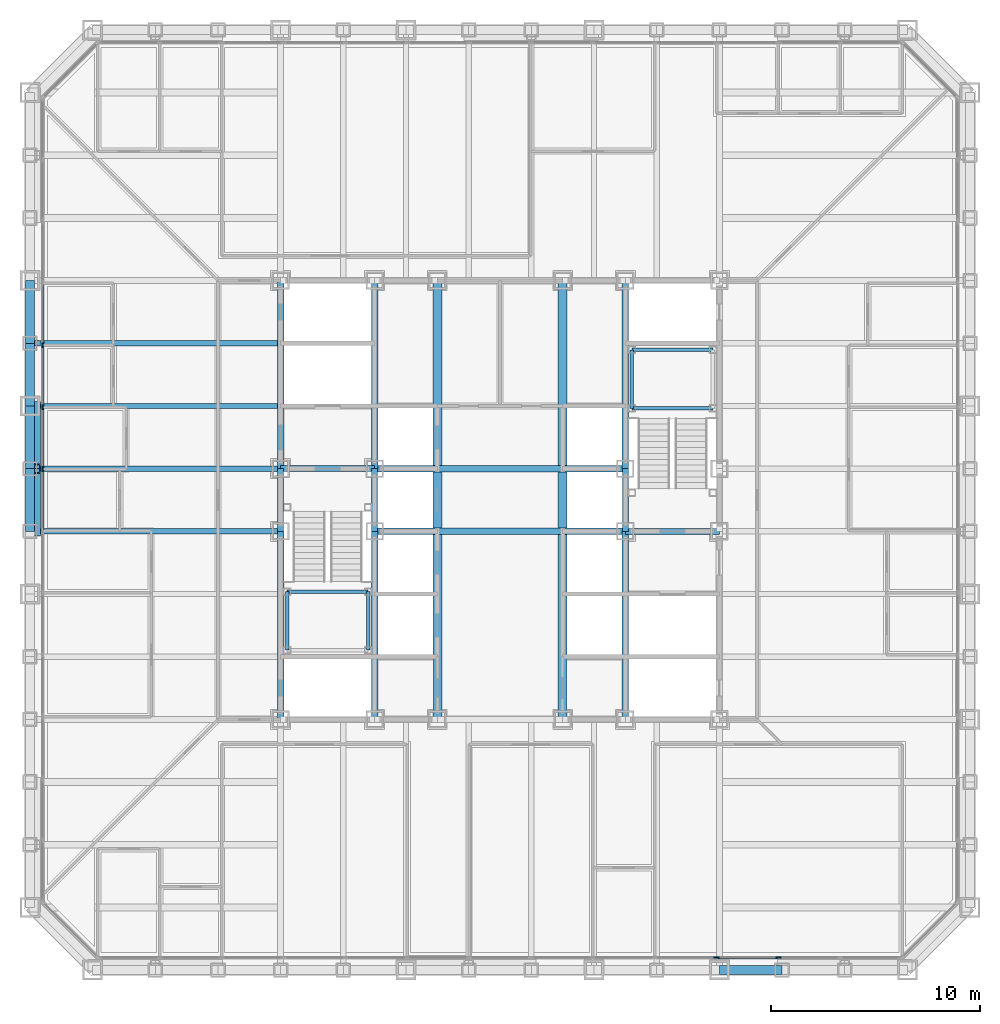
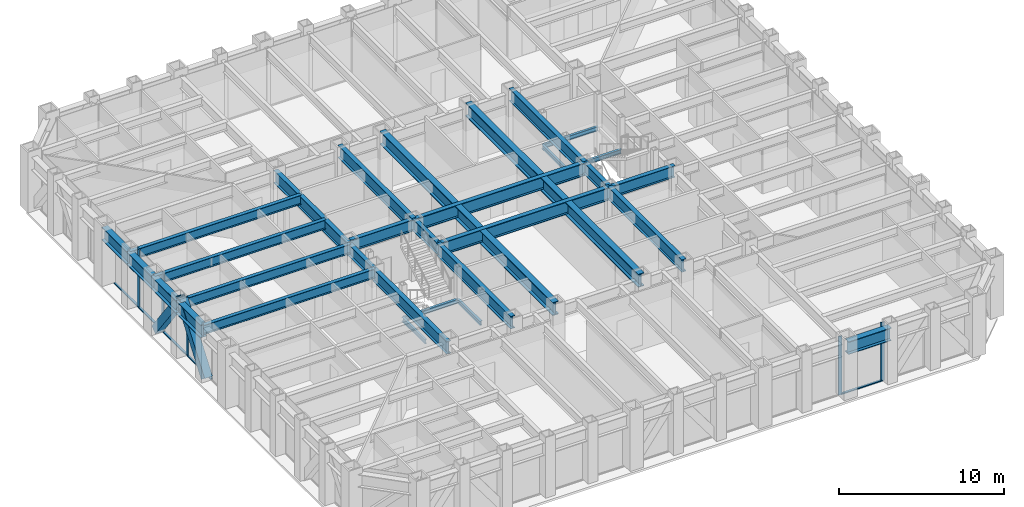
# One storey, part 3 of 17: 34 beams, 12 members, 2 elements without a shape of their own.
"""IFC4 building model written with IfcOpenShell, lengths in metres."""

from ifc_helpers import new_model, si_unit, direction, frame, origin, origin_2d, place, context, subcontext, project, spatial, rectangle, hollow_rectangle, i_section, extrude, material, layer, layer_set, material_profile, profile_set, type_object, element, aggregate, save


model = new_model("IFC4")

# Units and contexts
model_context = context("Model", 3, precision=1e-05, world=origin(), true_north=direction((0.0, 1.0)))
body_context = subcontext(model_context, "Body", "Model", "MODEL_VIEW")
ifc_project = project(units=[si_unit("LENGTHUNIT", "METRE"), si_unit("AREAUNIT", "SQUARE_METRE"), si_unit("VOLUMEUNIT", "CUBIC_METRE"), si_unit("PLANEANGLEUNIT", "RADIAN"), si_unit("MASSUNIT", "GRAM", prefix="KILO")], contexts=[model_context])

# Site, building, storey
site_placement = place(None, origin())
site = spatial("IfcSite", under=ifc_project, at=site_placement, CompositionType="ELEMENT")
building_placement = place(site_placement, origin())
building = spatial("IfcBuilding", under=site, at=building_placement, Name="Chuquiago Exchange Tower", CompositionType="ELEMENT")
storey_placement = place(building_placement, frame((0.0, 0.0, 64.800048828125)))
storey = spatial("IfcBuildingStorey", under=building, at=storey_placement, Name="L13", CompositionType="ELEMENT", Elevation=64.800048828125)

# Beams
ifc_material_1 = material(Name="Steel ASTM A992", Category="steel")
ifc_material_profile_1 = material_profile(ifc_material_1, i_section(OverallWidth=0.307373046875, OverallDepth=0.927001953125, WebThickness=0.01953125, FlangeThickness=0.031982421875, at=origin_2d()), Name="W36X194")
ifc_profile_set_1 = profile_set([ifc_material_profile_1], Name="Steel ASTM A992")
beam_type_1 = type_object("IfcBeamType", Name="B10 W36X194", PredefinedType="BEAM", material=ifc_profile_set_1)
for number, where, z_axis, x_axis, name in (
    (1, (12.0, 12.0, 3.576416015625), (0.0, 1.0, 0.0), (-1.0, 0.0, 0.0), "CB-L14-12_12-12_21"),
    (2, (12.0, 24.0, 3.576416015625), (0.0, 1.0, 0.0), (-1.0, 0.0, 0.0), "CB-L14-12_24-12_33"),
    (3, (16.5, 12.0, 3.87646484375), (0.0, 1.0, 0.0), (-1.0, 0.0, 0.0), "CB-L14-16.5_12-16.5_21"),
    (4, (16.5, 24.0, 3.87646484375), (0.0, 1.0, 0.0), (-1.0, 0.0, 0.0), "CB-L14-16.5_24-16.5_33"),
    (5, (28.5, 12.0, 3.87646484375), (0.0, 1.0, 0.0), (-1.0, 0.0, 0.0), "CB-L14-28.5_12-28.5_21"),
    (6, (28.5, 24.0, 3.87646484375), (0.0, 1.0, 0.0), (-1.0, 0.0, 0.0), "CB-L14-28.5_24-28.5_33"),
):
    element("IfcBeam", number, at=place(storey_placement, frame(where, z_axis=z_axis, x_axis=x_axis)), inside=storey, type_object=beam_type_1, Name=name, PredefinedType="BEAM", context=body_context, shape_type="SweptSolid", body=[
        extrude(i_section(OverallWidth=0.307373046875, OverallDepth=0.927001953125, WebThickness=0.01953125, FlangeThickness=0.031982421875, at=origin_2d()), origin(), (0.0, 0.0, 1.0), 9.0),
    ])
ifc_material_2 = material(Name="Steel ASTM A992", Category="steel")
ifc_material_profile_2 = material_profile(ifc_material_2, i_section(OverallWidth=0.309814453125, OverallDepth=0.949951171875, WebThickness=0.0244140625, FlangeThickness=0.0439453125, at=origin_2d()), Name="W36X256")
ifc_profile_set_2 = profile_set([ifc_material_profile_2], Name="Steel ASTM A992")
beam_type_2 = type_object("IfcBeamType", Name="B11 W36X256", PredefinedType="BEAM", material=ifc_profile_set_2)
for number, where, z_axis, x_axis, name in (
    (7, (16.5, 21.0, 3.864990234375), (1.0, 0.0, 0.0), (0.0, 1.0, 0.0), "CB-L14-16.5_21-28.5_21"),
    (8, (16.5, 24.0, 3.864990234375), (1.0, 0.0, 0.0), (0.0, 1.0, 0.0), "CB-L14-16.5_24-28.5_24"),
):
    element("IfcBeam", number, at=place(storey_placement, frame(where, z_axis=z_axis, x_axis=x_axis)), inside=storey, type_object=beam_type_2, Name=name, PredefinedType="BEAM", context=body_context, shape_type="SweptSolid", body=[
        extrude(i_section(OverallWidth=0.309814453125, OverallDepth=0.949951171875, WebThickness=0.0244140625, FlangeThickness=0.0439453125, at=origin_2d()), origin(), (0.0, 0.0, 1.0), 12.0),
    ])
ifc_material_3 = material(Name="Steel ASTM A992", Category="steel")
ifc_material_profile_3 = material_profile(ifc_material_3, i_section(OverallWidth=0.4267578125, OverallDepth=0.975341796875, WebThickness=0.031005859375, FlangeThickness=0.055908203125, at=origin_2d()), Name="W36X395")
ifc_profile_set_3 = profile_set([ifc_material_profile_3], Name="Steel ASTM A992")
beam_type_3 = type_object("IfcBeamType", Name="B12 W36X395", PredefinedType="BEAM", material=ifc_profile_set_3)
beam_1_placement = place(storey_placement, frame((19.5, 12.0, 3.852294921875), z_axis=(0.0, 1.0, 0.0), x_axis=(-1.0, 0.0, 0.0)))
element("IfcBeam", 9, at=beam_1_placement, inside=storey, type_object=beam_type_3, Name="CB-L14-19.5_12-19.5_20.8451", PredefinedType="BEAM", context=body_context, shape_type="SweptSolid", body=[
    extrude(i_section(OverallWidth=0.4267578125, OverallDepth=0.975341796875, WebThickness=0.031005859375, FlangeThickness=0.055908203125, at=origin_2d()), origin(), (0.0, 0.0, 1.0), 8.84521484375),
])
beam_2_placement = place(storey_placement, frame((19.5, 21.15478515625, 3.852294921875), z_axis=(0.0, 1.0, 0.0), x_axis=(-1.0, 0.0, 0.0)))
element("IfcBeam", 10, at=beam_2_placement, inside=storey, type_object=beam_type_3, Name="CB-L14-19.5_21.1549-19.5_23.8451", PredefinedType="BEAM", context=body_context, shape_type="SweptSolid", body=[
    extrude(i_section(OverallWidth=0.4267578125, OverallDepth=0.975341796875, WebThickness=0.031005859375, FlangeThickness=0.055908203125, at=origin_2d()), origin(), (0.0, 0.0, 1.0), 2.6904296875),
])
for number, where, z_axis, x_axis, name in (
    (11, (19.5, 24.15478515625, 3.852294921875), (0.0, 1.0, 0.0), (-1.0, 0.0, 0.0), "CB-L14-19.5_24.1549-19.5_33"),
    (12, (25.5, 12.0, 3.852294921875), (0.0, 1.0, 0.0), (-1.0, 0.0, 0.0), "CB-L14-25.5_12-25.5_20.8451"),
):
    element("IfcBeam", number, at=place(storey_placement, frame(where, z_axis=z_axis, x_axis=x_axis)), inside=storey, type_object=beam_type_3, Name=name, PredefinedType="BEAM", context=body_context, shape_type="SweptSolid", body=[
        extrude(i_section(OverallWidth=0.4267578125, OverallDepth=0.975341796875, WebThickness=0.031005859375, FlangeThickness=0.055908203125, at=origin_2d()), origin(), (0.0, 0.0, 1.0), 8.84521484375),
    ])
beam_3_placement = place(storey_placement, frame((25.5, 21.15478515625, 3.852294921875), z_axis=(0.0, 1.0, 0.0), x_axis=(-1.0, 0.0, 0.0)))
element("IfcBeam", 13, at=beam_3_placement, inside=storey, type_object=beam_type_3, Name="CB-L14-25.5_21.1549-25.5_23.8451", PredefinedType="BEAM", context=body_context, shape_type="SweptSolid", body=[
    extrude(i_section(OverallWidth=0.4267578125, OverallDepth=0.975341796875, WebThickness=0.031005859375, FlangeThickness=0.055908203125, at=origin_2d()), origin(), (0.0, 0.0, 1.0), 2.6904296875),
])
beam_4_placement = place(storey_placement, frame((25.5, 24.15478515625, 3.852294921875), z_axis=(0.0, 1.0, 0.0), x_axis=(-1.0, 0.0, 0.0)))
element("IfcBeam", 14, at=beam_4_placement, inside=storey, type_object=beam_type_3, Name="CB-L14-25.5_24.1549-25.5_33", PredefinedType="BEAM", context=body_context, shape_type="SweptSolid", body=[
    extrude(i_section(OverallWidth=0.4267578125, OverallDepth=0.975341796875, WebThickness=0.031005859375, FlangeThickness=0.055908203125, at=origin_2d()), origin(), (0.0, 0.0, 1.0), 8.84521484375),
])
ifc_material_4 = material(Name="Steel ASTM A992", Category="steel")
ifc_material_profile_4 = material_profile(ifc_material_4, i_section(OverallWidth=0.2919921875, OverallDepth=0.8583984375, WebThickness=0.01708984375, FlangeThickness=0.031005859375, at=origin_2d()), Name="W33X169")
ifc_profile_set_4 = profile_set([ifc_material_profile_4], Name="Steel ASTM A992")
beam_type_4 = type_object("IfcBeamType", Name="B3 W33X169", PredefinedType="BEAM", material=ifc_profile_set_4)
for number, where, z_axis, x_axis, name in (
    (15, (12.0, 21.0, 3.610595703125), (0.0, 1.0, 0.0), (-1.0, 0.0, 0.0), "CB-L14-12_21-12_24"),
    (16, (16.5, 21.0, 3.91064453125), (0.0, 1.0, 0.0), (-1.0, 0.0, 0.0), "CB-L14-16.5_21-16.5_24"),
    (17, (28.5, 21.0, 3.91064453125), (0.0, 1.0, 0.0), (-1.0, 0.0, 0.0), "CB-L14-28.5_21-28.5_24"),
):
    element("IfcBeam", number, at=place(storey_placement, frame(where, z_axis=z_axis, x_axis=x_axis)), inside=storey, type_object=beam_type_4, Name=name, PredefinedType="BEAM", context=body_context, shape_type="SweptSolid", body=[
        extrude(i_section(OverallWidth=0.2919921875, OverallDepth=0.8583984375, WebThickness=0.01708984375, FlangeThickness=0.031005859375, at=origin_2d()), origin(), (0.0, 0.0, 1.0), 3.0),
    ])
for number, where, z_axis, x_axis, name in (
    (18, (28.5, 21.0, 3.91064453125), (1.0, 0.0, 0.0), (0.0, 1.0, 0.0), "CB-L14-28.5_21-33_21"),
    (19, (12.0, 24.0, 3.91064453125), (1.0, 0.0, 0.0), (0.0, 1.0, 0.0), "CB-L14-12_24-16.5_24"),
):
    element("IfcBeam", number, at=place(storey_placement, frame(where, z_axis=z_axis, x_axis=x_axis)), inside=storey, type_object=beam_type_4, Name=name, PredefinedType="BEAM", context=body_context, shape_type="SweptSolid", body=[
        extrude(i_section(OverallWidth=0.2919921875, OverallDepth=0.8583984375, WebThickness=0.01708984375, FlangeThickness=0.031005859375, at=origin_2d()), origin(), (0.0, 0.0, 1.0), 4.5),
    ])
ifc_material_5 = material(Name="Steel ASTM A992", Category="steel")
ifc_material_profile_5 = material_profile(ifc_material_5, i_section(OverallWidth=0.256591796875, OverallDepth=0.693359375, WebThickness=0.014404296875, FlangeThickness=0.023681640625, at=origin_2d()), Name="W27X114")
ifc_profile_set_5 = profile_set([ifc_material_profile_5], Name="Steel ASTM A992")
beam_type_5 = type_object("IfcBeamType", Name="B4 W27X114", PredefinedType="BEAM", material=ifc_profile_set_5)
for number, where, z_axis, x_axis, name in (
    (20, (12.0, 21.0, 3.693359375), (-1.0, 0.0, 0.0), (0.0, -1.0, 0.0), "FB-L14-infill-12_21--0_21-0"),
    (21, (12.0, 24.0, 3.693359375), (-1.0, 0.0, 0.0), (0.0, -1.0, 0.0), "FB-L14-infill-12_24--0_24-0"),
    (22, (12.0, 27.0, 3.693359375), (-1.0, 0.0, 0.0), (0.0, -1.0, 0.0), "FB-L14-infill-12_27--0_27-0"),
    (23, (12.0, 30.0, 3.693359375), (-1.0, 0.0, 0.0), (0.0, -1.0, 0.0), "FB-L14-infill-12_30--0_30-0"),
):
    element("IfcBeam", number, at=place(storey_placement, frame(where, z_axis=z_axis, x_axis=x_axis)), inside=storey, type_object=beam_type_5, Name=name, PredefinedType="BEAM", context=body_context, shape_type="SweptSolid", body=[
        extrude(i_section(OverallWidth=0.256591796875, OverallDepth=0.693359375, WebThickness=0.014404296875, FlangeThickness=0.023681640625, at=origin_2d()), origin(), (0.0, 0.0, 1.0), 12.0),
    ])

# Curtain wall, members
ifc_material_6 = material(Name="Aluminium curtain wall system", Category="aluminium")
ifc_layer = layer(ifc_material_6, 0.25)
ifc_layer_set = layer_set([ifc_layer], Name="CW1 trading floor curtain wall")
curtain_wall_type = type_object("IfcCurtainWallType", Name="CW1 trading floor curtain wall", PredefinedType="NOTDEFINED", material=ifc_layer_set)
curtain_wall_1_placement = place(storey_placement, origin())
curtain_wall_1 = element("IfcCurtainWall", 24, at=curtain_wall_1_placement, inside=storey, type_object=curtain_wall_type, Name="CW1 curtain wall L13", PredefinedType="NOTDEFINED")
ifc_material_7 = material(Name="Aluminium mullion, pale anodised", Category="aluminium")
ifc_material_profile_6 = material_profile(ifc_material_7, rectangle(XDim=0.074951171875, YDim=0.25, at=origin_2d()), Name="AL 75x250")
ifc_profile_set_6 = profile_set([ifc_material_profile_6], Name="Aluminium mullion, pale anodised")
member_type_1 = type_object("IfcMemberType", Name="CW1-M mullion 75x250", PredefinedType="MULLION", material=ifc_profile_set_6)
member_1_placement = place(storey_placement, frame((32.8662109375, 0.60009765625, -0.300048828125), z_axis=(0.0, 0.0, 1.0), x_axis=(0.0, 1.0, 0.0)))
member_1 = element("IfcMember", 25, at=member_1_placement, type_object=member_type_1, Name="CW1 mullion 11", PredefinedType="MULLION", context=body_context, shape_type="SweptSolid", body=[
    extrude(rectangle(XDim=0.074951171875, YDim=0.25, at=origin_2d()), origin(), (0.0, 0.0, 1.0), 4.340087890625),
])
member_2_placement = place(storey_placement, frame((35.827880859375, 0.60009765625, -0.300048828125), z_axis=(0.0, 0.0, 1.0), x_axis=(0.0, 1.0, 0.0)))
member_2 = element("IfcMember", 26, at=member_2_placement, type_object=member_type_1, Name="CW1 mullion 12", PredefinedType="MULLION", context=body_context, shape_type="SweptSolid", body=[
    extrude(rectangle(XDim=0.074951171875, YDim=0.25, at=origin_2d()), origin(), (0.0, 0.0, 1.0), 4.340087890625),
])

curtain_wall_2_placement = place(storey_placement, origin())
curtain_wall_2 = element("IfcCurtainWall", 27, at=curtain_wall_2_placement, inside=storey, type_object=curtain_wall_type, Name="CW1 curtain wall L13", PredefinedType="NOTDEFINED")
member_3_placement = place(storey_placement, frame((0.60009765625, 29.904541015625, -0.300048828125), z_axis=(0.0, 0.0, 1.0), x_axis=(1.0, 0.0, 0.0)))
member_3 = element("IfcMember", 28, at=member_3_placement, type_object=member_type_1, Name="CW1 mullion 5", PredefinedType="MULLION", context=body_context, shape_type="SweptSolid", body=[
    extrude(rectangle(XDim=0.074951171875, YDim=0.25, at=origin_2d()), origin(), (0.0, 0.0, 1.0), 4.340087890625),
])
member_4_placement = place(storey_placement, frame((0.60009765625, 26.942626953125, -0.300048828125), z_axis=(0.0, 0.0, 1.0), x_axis=(1.0, 0.0, 0.0)))
member_4 = element("IfcMember", 29, at=member_4_placement, type_object=member_type_1, Name="CW1 mullion 6", PredefinedType="MULLION", context=body_context, shape_type="SweptSolid", body=[
    extrude(rectangle(XDim=0.074951171875, YDim=0.25, at=origin_2d()), origin(), (0.0, 0.0, 1.0), 4.340087890625),
])
member_5_placement = place(storey_placement, frame((0.60009765625, 23.98095703125, -0.300048828125), z_axis=(0.0, 0.0, 1.0), x_axis=(1.0, 0.0, 0.0)))
member_5 = element("IfcMember", 30, at=member_5_placement, type_object=member_type_1, Name="CW1 mullion 7", PredefinedType="MULLION", context=body_context, shape_type="SweptSolid", body=[
    extrude(rectangle(XDim=0.074951171875, YDim=0.25, at=origin_2d()), origin(), (0.0, 0.0, 1.0), 4.340087890625),
])

# Member
ifc_material_8 = material(Name="Aluminium transom, pale anodised", Category="aluminium")
ifc_material_profile_7 = material_profile(ifc_material_8, rectangle(XDim=0.14990234375, YDim=0.074951171875, at=origin_2d()), Name="AL 150x75")
ifc_profile_set_7 = profile_set([ifc_material_profile_7], Name="Aluminium transom, pale anodised")
member_type_2 = type_object("IfcMemberType", Name="CW1-T transom 75x150", PredefinedType="MULLION", material=ifc_profile_set_7)
member_6_placement = place(storey_placement, frame((32.90380859375, 0.60009765625, -0.262451171875), z_axis=(1.0, 0.0, 0.0), x_axis=(0.0, 1.0, 0.0)))
member_6 = element("IfcMember", 31, at=member_6_placement, type_object=member_type_2, Name="CW1 transom 11.1", PredefinedType="MULLION", context=body_context, shape_type="SweptSolid", body=[
    extrude(rectangle(XDim=0.14990234375, YDim=0.074951171875, at=origin_2d()), origin(), (0.0, 0.0, 1.0), 2.88671875),
])

aggregate(curtain_wall_1, [member_1, member_2, member_6])

member_7_placement = place(storey_placement, frame((0.60009765625, 32.82861328125, -0.262451171875), z_axis=(0.0, -1.0, 0.0), x_axis=(1.0, 0.0, 0.0)))
member_7 = element("IfcMember", 32, at=member_7_placement, type_object=member_type_2, Name="CW1 transom 4.1", PredefinedType="MULLION", context=body_context, shape_type="SweptSolid", body=[
    extrude(rectangle(XDim=0.14990234375, YDim=0.074951171875, at=origin_2d()), origin(), (0.0, 0.0, 1.0), 2.88671875),
])

member_8_placement = place(storey_placement, frame((0.60009765625, 29.866943359375, -0.262451171875), z_axis=(0.0, -1.0, 0.0), x_axis=(1.0, 0.0, 0.0)))
member_8 = element("IfcMember", 33, at=member_8_placement, type_object=member_type_2, Name="CW1 transom 5.1", PredefinedType="MULLION", context=body_context, shape_type="SweptSolid", body=[
    extrude(rectangle(XDim=0.14990234375, YDim=0.074951171875, at=origin_2d()), origin(), (0.0, 0.0, 1.0), 2.88671875),
])

member_9_placement = place(storey_placement, frame((0.60009765625, 26.9052734375, -0.262451171875), z_axis=(0.0, -1.0, 0.0), x_axis=(1.0, 0.0, 0.0)))
member_9 = element("IfcMember", 34, at=member_9_placement, type_object=member_type_2, Name="CW1 transom 6.1", PredefinedType="MULLION", context=body_context, shape_type="SweptSolid", body=[
    extrude(rectangle(XDim=0.14990234375, YDim=0.074951171875, at=origin_2d()), origin(), (0.0, 0.0, 1.0), 2.886962890625),
])

member_10_placement = place(storey_placement, frame((0.60009765625, 23.943359375, -0.262451171875), z_axis=(0.0, -1.0, 0.0), x_axis=(1.0, 0.0, 0.0)))
member_10 = element("IfcMember", 35, at=member_10_placement, type_object=member_type_2, Name="CW1 transom 7.1", PredefinedType="MULLION", context=body_context, shape_type="SweptSolid", body=[
    extrude(rectangle(XDim=0.14990234375, YDim=0.074951171875, at=origin_2d()), origin(), (0.0, 0.0, 1.0), 2.88671875),
])

aggregate(curtain_wall_2, [member_3, member_4, member_5, member_7, member_8, member_9, member_10])

# Beams
ifc_material_9 = material(Name="Steel ASTM A992", Category="steel")
ifc_material_profile_8 = material_profile(ifc_material_9, i_section(OverallWidth=0.164794921875, OverallDepth=0.309814453125, WebThickness=0.005859375, FlangeThickness=0.009765625, at=origin_2d()), Name="W12X26")
ifc_profile_set_8 = profile_set([ifc_material_profile_8], Name="Steel ASTM A992")
beam_type_6 = type_object("IfcBeamType", Name="LS1 W12X26", PredefinedType="BEAM", material=ifc_profile_set_8)
for number, where, z_axis, x_axis, name in (
    (36, (12.31005859375, 15.31005859375, 1.89501953125), (0.0, 1.0, 0.0), (-1.0, 0.0, 0.0), "Stair ST1 L13 landing 1 stringer"),
    (37, (16.18994140625, 15.31005859375, 1.89501953125), (0.0, 1.0, 0.0), (-1.0, 0.0, 0.0), "Stair ST1 L13 landing 1 stringer"),
    (38, (28.81005859375, 26.889892578125, 1.89501953125), (0.0, 1.0, 0.0), (-1.0, 0.0, 0.0), "Stair ST2 L13 landing 1 stringer"),
):
    element("IfcBeam", number, at=place(storey_placement, frame(where, z_axis=z_axis, x_axis=x_axis)), inside=storey, type_object=beam_type_6, Name=name, PredefinedType="BEAM", context=body_context, shape_type="SweptSolid", body=[
        extrude(i_section(OverallWidth=0.164794921875, OverallDepth=0.309814453125, WebThickness=0.005859375, FlangeThickness=0.009765625, at=origin_2d()), origin(), (0.0, 0.0, 1.0), 2.800048828125),
    ])
ifc_material_10 = material(Name="Steel ASTM A992", Category="steel")
ifc_material_profile_9 = material_profile(ifc_material_10, i_section(OverallWidth=0.164794921875, OverallDepth=0.309814453125, WebThickness=0.005859375, FlangeThickness=0.009765625, at=origin_2d()), Name="W12X26")
ifc_profile_set_9 = profile_set([ifc_material_profile_9], Name="Steel ASTM A992")
beam_type_7 = type_object("IfcBeamType", Name="LT1 W12X26", PredefinedType="BEAM", material=ifc_profile_set_9)
for number, where, z_axis, x_axis, name in (
    (39, (12.31005859375, 18.110107421875, 1.89501953125), (1.0, 0.0, 0.0), (0.0, 1.0, 0.0), "Stair ST1 L13 landing 1 trimmer"),
    (40, (28.81005859375, 29.68994140625, 1.89501953125), (1.0, 0.0, 0.0), (0.0, 1.0, 0.0), "Stair ST2 L13 landing 1 trimmer"),
    (41, (28.81005859375, 26.889892578125, 1.89501953125), (1.0, 0.0, 0.0), (0.0, 1.0, 0.0), "Stair ST2 L13 landing 1 trimmer"),
):
    element("IfcBeam", number, at=place(storey_placement, frame(where, z_axis=z_axis, x_axis=x_axis)), inside=storey, type_object=beam_type_7, Name=name, PredefinedType="BEAM", context=body_context, shape_type="SweptSolid", body=[
        extrude(i_section(OverallWidth=0.164794921875, OverallDepth=0.309814453125, WebThickness=0.005859375, FlangeThickness=0.009765625, at=origin_2d()), origin(), (0.0, 0.0, 1.0), 3.8798828125),
    ])

# Members
ifc_material_11 = material(Name="Steel ASTM A572 Grade 50", Category="steel")
ifc_material_profile_10 = material_profile(ifc_material_11, hollow_rectangle(XDim=0.550048828125, YDim=0.550048828125, WallThickness=0.044921875, at=origin_2d()), Name="BOX550X550X45")
ifc_profile_set_10 = profile_set([ifc_material_profile_10], Name="Steel ASTM A572 Grade 50")
member_type_3 = type_object("IfcMemberType", Name="MB1 BOX550X550X45", PredefinedType="BRACE", material=ifc_profile_set_10)
for number, where, z_axis, x_axis, name in (
    (42, (0.22998046875, 27.0, 0.0), (0.0, -0.596173923302, 0.802855312728), (1.0, 0.0, 0.0), "Mega diagonal L13 W face"),
    (43, (0.22998046875, 21.0, 0.0), (0.0, 0.596173923302, 0.802855312728), (-1.0, 0.0, 0.0), "Mega diagonal L13 W face"),
):
    element("IfcMember", number, at=place(storey_placement, frame(where, z_axis=z_axis, x_axis=x_axis)), inside=storey, type_object=member_type_3, Name=name, PredefinedType="BRACE", context=body_context, shape_type="SweptSolid", body=[
        extrude(hollow_rectangle(XDim=0.550048828125, YDim=0.550048828125, WallThickness=0.044921875, at=origin_2d()), origin(), (0.0, 0.0, 1.0), 5.031982421875),
    ])

# Beams
ifc_material_12 = material(Name="Steel ASTM A992", Category="steel")
ifc_material_profile_11 = material_profile(ifc_material_12, i_section(OverallWidth=0.424072265625, OverallDepth=0.947509765625, WebThickness=0.02392578125, FlangeThickness=0.042724609375, at=origin_2d()), Name="W36X302")
ifc_profile_set_11 = profile_set([ifc_material_profile_11], Name="Steel ASTM A992")
beam_type_8 = type_object("IfcBeamType", Name="SP1 W36X302", PredefinedType="SPANDREL", material=ifc_profile_set_11)
for number, where, z_axis, x_axis, name in (
    (44, (33.0, 0.0, 3.566162109375), (1.0, 0.0, 0.0), (0.0, 1.0, 0.0), "SPB-L14-33_0-36_0"),
    (45, (0.0, 33.0, 3.566162109375), (0.0, -1.0, 0.0), (1.0, 0.0, 0.0), "SPB-L14-0_33-0_30"),
    (46, (0.0, 30.0, 3.566162109375), (0.0, -1.0, 0.0), (1.0, 0.0, 0.0), "SPB-L14-0_30-0_27"),
    (47, (0.0, 27.0, 3.566162109375), (0.0, -1.0, 0.0), (1.0, 0.0, 0.0), "SPB-L14-0_27-0_24"),
    (48, (0.0, 24.0, 3.566162109375), (0.0, -1.0, 0.0), (1.0, 0.0, 0.0), "SPB-L14-0_24-0_21"),
):
    element("IfcBeam", number, at=place(storey_placement, frame(where, z_axis=z_axis, x_axis=x_axis)), inside=storey, type_object=beam_type_8, Name=name, PredefinedType="SPANDREL", context=body_context, shape_type="SweptSolid", body=[
        extrude(i_section(OverallWidth=0.424072265625, OverallDepth=0.947509765625, WebThickness=0.02392578125, FlangeThickness=0.042724609375, at=origin_2d()), origin(), (0.0, 0.0, 1.0), 3.0),
    ])

save(model, "model.ifc")
